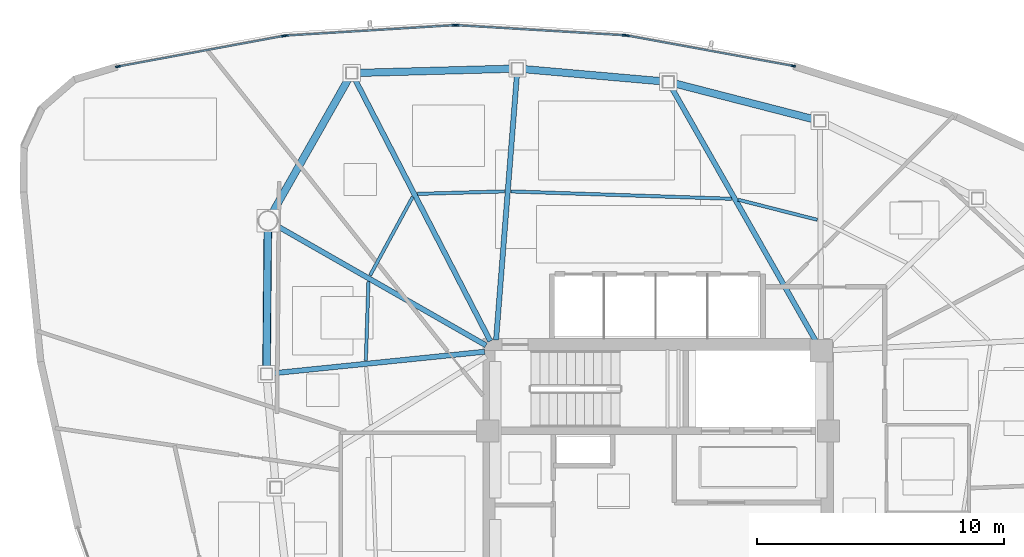
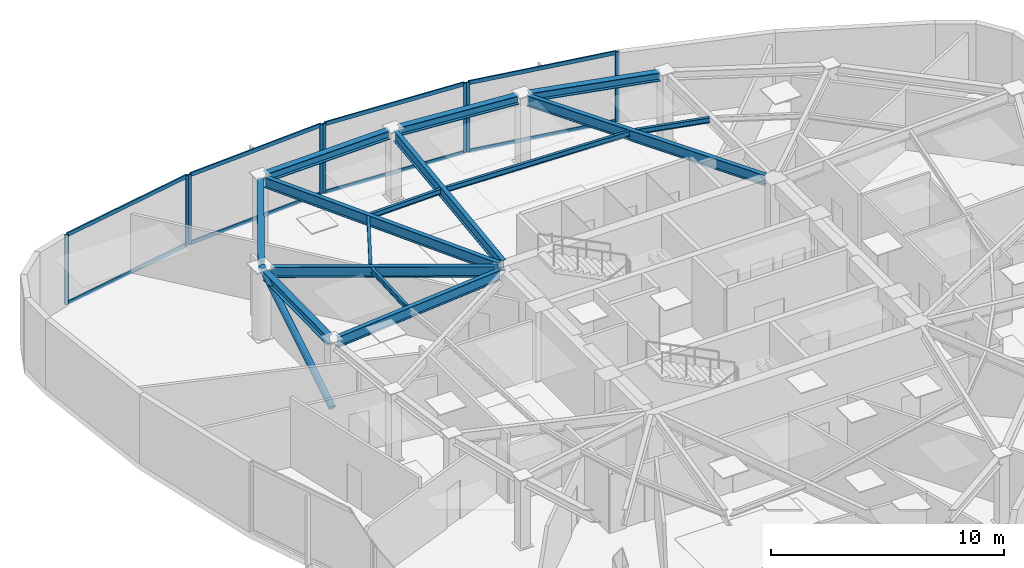
# One storey, part 5 of 13: 17 members, 15 beams, 4 elements without a shape of their own.
"""IFC4 building model written with IfcOpenShell, lengths in metres."""

from ifc_helpers import new_model, si_unit, direction, frame, origin, origin_2d, place, context, subcontext, project, spatial, hollow_rectangle, hollow_circle, i_section, extrude, source, transform, mapped, material, layer, layer_set, material_profile, profile_set, type_object, type_shapes, element, aggregate, save


model = new_model("IFC4")

# Units and contexts
model_context = context("Model", 3, precision=1e-05, world=origin(), true_north=direction((0.0, 1.0)))
body_context = subcontext(model_context, "Body", "Model", "MODEL_VIEW")
ifc_project = project(units=[si_unit("LENGTHUNIT", "METRE"), si_unit("AREAUNIT", "SQUARE_METRE"), si_unit("VOLUMEUNIT", "CUBIC_METRE"), si_unit("PLANEANGLEUNIT", "RADIAN"), si_unit("MASSUNIT", "GRAM", prefix="KILO")], contexts=[model_context])

# Site, building, storey
site_placement = place(None, origin())
site = spatial("IfcSite", under=ifc_project, at=site_placement, CompositionType="ELEMENT")
building_placement = place(site_placement, origin())
building = spatial("IfcBuilding", under=site, at=building_placement, Name="Tavelor Broadcast Tower", CompositionType="ELEMENT")
storey_placement = place(building_placement, frame((0.0, 0.0, 265.60009765625)))
storey = spatial("IfcBuildingStorey", under=building, at=storey_placement, Name="L63", CompositionType="ELEMENT", Elevation=265.60009765625)

# Beams
ifc_material_1 = material(Name="Steel S355", Category="steel")
ifc_material_profile_1 = material_profile(ifc_material_1, i_section(OverallWidth=0.135009765625, OverallDepth=0.27001953125, WebThickness=0.006591796875, FlangeThickness=0.01025390625, at=origin_2d()), Name="IPE 270")
ifc_profile_set_1 = profile_set([ifc_material_profile_1], Name="Steel S355")
beam_type_1 = type_object("IfcBeamType", Name="Composite Floor Joist T6 IPE 270", PredefinedType="JOIST", material=ifc_profile_set_1)
beam_1_placement = place(storey_placement, frame((38.266357421875, 53.997314453125, 3.514892578125), z_axis=(-0.03266180387, -0.999466460952, 0.0), x_axis=(0.999466460952, -0.03266180387, 0.0)))
element("IfcBeam", 1, at=beam_1_placement, inside=storey, type_object=beam_type_1, Name="L63 Secondary Composite Floor Joist 01", PredefinedType="JOIST", context=body_context, shape_type="SweptSolid", body=[
    extrude(i_section(OverallWidth=0.135009765625, OverallDepth=0.27001953125, WebThickness=0.006591796875, FlangeThickness=0.01025390625, at=origin_2d()), origin(), (0.0, 0.0, 1.0), 3.19921875),
])
beam_2_placement = place(storey_placement, frame((56.439208984375, 56.498779296875, 3.514892578125), z_axis=(-0.969346722977, 0.245696826706, 0.0), x_axis=(-0.245696826706, -0.969346722977, 0.0)))
element("IfcBeam", 2, at=beam_2_placement, inside=storey, type_object=beam_type_1, Name="L63 Secondary Composite Floor Joist 15", PredefinedType="JOIST", context=body_context, shape_type="SweptSolid", body=[
    extrude(i_section(OverallWidth=0.135009765625, OverallDepth=0.27001953125, WebThickness=0.006591796875, FlangeThickness=0.01025390625, at=origin_2d()), origin(), (0.0, 0.0, 1.0), 3.305908203125),
])
beam_3_placement = place(storey_placement, frame((52.970458984375, 57.348388671875, 3.514892578125), z_axis=(-0.999441322178, 0.033422201056, 0.0), x_axis=(-0.033422201056, -0.999441322178, 0.0)))
element("IfcBeam", 3, at=beam_3_placement, inside=storey, type_object=beam_type_1, Name="L63 Secondary Composite Floor Joist 16", PredefinedType="JOIST", context=body_context, shape_type="SweptSolid", body=[
    extrude(i_section(OverallWidth=0.135009765625, OverallDepth=0.27001953125, WebThickness=0.006591796875, FlangeThickness=0.01025390625, at=origin_2d()), origin(), (0.0, 0.0, 1.0), 8.93359375),
])
beam_4_placement = place(storey_placement, frame((43.773681640625, 57.647705078125, 3.514892578125), z_axis=(-0.999591520458, -0.028579577129, 0.0), x_axis=(0.028579577129, -0.999591520458, 0.0)))
element("IfcBeam", 4, at=beam_4_placement, inside=storey, type_object=beam_type_1, Name="L63 Secondary Composite Floor Joist 17", PredefinedType="JOIST", context=body_context, shape_type="SweptSolid", body=[
    extrude(i_section(OverallWidth=0.135009765625, OverallDepth=0.27001953125, WebThickness=0.006591796875, FlangeThickness=0.01025390625, at=origin_2d()), origin(), (0.0, 0.0, 1.0), 3.51953125),
])
beam_5_placement = place(storey_placement, frame((40.057373046875, 57.42529296875, 3.514892578125), z_axis=(-0.476805519493, -0.879008814848, 0.0), x_axis=(0.879008814848, -0.476805519493, 0.0)))
element("IfcBeam", 5, at=beam_5_placement, inside=storey, type_object=beam_type_1, Name="L63 Secondary Composite Floor Joist 18", PredefinedType="JOIST", context=body_context, shape_type="SweptSolid", body=[
    extrude(i_section(OverallWidth=0.135009765625, OverallDepth=0.27001953125, WebThickness=0.006591796875, FlangeThickness=0.01025390625, at=origin_2d()), origin(), (0.0, 0.0, 1.0), 3.61279296875),
])
ifc_material_profile_2 = material_profile(ifc_material_1, i_section(OverallWidth=0.300048828125, OverallDepth=0.449951171875, WebThickness=0.013916015625, FlangeThickness=0.02587890625, at=origin_2d()), Name="HEB 450")
ifc_profile_set_2 = profile_set([ifc_material_profile_2], Name="Steel S355")
beam_type_2 = type_object("IfcBeamType", Name="Perimeter Spandrel Beam T6 HEB 450", PredefinedType="SPANDREL", material=ifc_profile_set_2)
beam_6_placement = place(storey_placement, frame((34.192626953125, 56.069580078125, 3.4248046875), z_axis=(-0.009548403943, -0.999954412952, 0.0), x_axis=(0.999954412952, -0.009548403943, 0.0)))
element("IfcBeam", 6, at=beam_6_placement, inside=storey, type_object=beam_type_2, Name="L63 Framed-Tube Ring Spandrel 01", PredefinedType="SPANDREL", context=body_context, shape_type="SweptSolid", body=[
    extrude(i_section(OverallWidth=0.300048828125, OverallDepth=0.449951171875, WebThickness=0.013916015625, FlangeThickness=0.02587890625, at=origin_2d()), origin(), (0.0, 0.0, 1.0), 5.573974609375),
])
beam_7_placement = place(storey_placement, frame((56.313232421875, 60.56396484375, 3.4248046875), z_axis=(-0.968399822455, 0.249402854572, 0.0), x_axis=(-0.249402854572, -0.968399822455, 0.0)))
element("IfcBeam", 7, at=beam_7_placement, inside=storey, type_object=beam_type_2, Name="L63 Framed-Tube Ring Spandrel 15", PredefinedType="SPANDREL", context=body_context, shape_type="SweptSolid", body=[
    extrude(i_section(OverallWidth=0.300048828125, OverallDepth=0.449951171875, WebThickness=0.013916015625, FlangeThickness=0.02587890625, at=origin_2d()), origin(), (0.0, 0.0, 1.0), 5.858642578125),
])
beam_8_placement = place(storey_placement, frame((50.168212890625, 62.10595703125, 3.4248046875), z_axis=(-0.996167133993, 0.08747023009, 0.0), x_axis=(-0.08747023009, -0.996167133993, 0.0)))
element("IfcBeam", 8, at=beam_8_placement, inside=storey, type_object=beam_type_2, Name="L63 Framed-Tube Ring Spandrel 16", PredefinedType="SPANDREL", context=body_context, shape_type="SweptSolid", body=[
    extrude(i_section(OverallWidth=0.300048828125, OverallDepth=0.449951171875, WebThickness=0.013916015625, FlangeThickness=0.02587890625, at=origin_2d()), origin(), (0.0, 0.0, 1.0), 5.652099609375),
])
beam_9_placement = place(storey_placement, frame((44.058837890625, 62.61474609375, 3.4248046875), z_axis=(-0.99963121329, -0.027155798934, 0.0), x_axis=(0.027155798934, -0.99963121329, 0.0)))
element("IfcBeam", 9, at=beam_9_placement, inside=storey, type_object=beam_type_2, Name="L63 Framed-Tube Ring Spandrel 17", PredefinedType="SPANDREL", context=body_context, shape_type="SweptSolid", body=[
    extrude(i_section(OverallWidth=0.300048828125, OverallDepth=0.449951171875, WebThickness=0.013916015625, FlangeThickness=0.02587890625, at=origin_2d()), origin(), (0.0, 0.0, 1.0), 6.230224609375),
])
beam_10_placement = place(storey_placement, frame((37.472412109375, 62.23046875, 3.4248046875), z_axis=(-0.493720585512, -0.869620597411, 0.0), x_axis=(0.869620597411, -0.493720585512, 0.0)))
element("IfcBeam", 10, at=beam_10_placement, inside=storey, type_object=beam_type_2, Name="L63 Framed-Tube Ring Spandrel 18", PredefinedType="SPANDREL", context=body_context, shape_type="SweptSolid", body=[
    extrude(i_section(OverallWidth=0.300048828125, OverallDepth=0.449951171875, WebThickness=0.013916015625, FlangeThickness=0.02587890625, at=origin_2d()), origin(), (0.0, 0.0, 1.0), 6.245361328125),
])

# Member
ifc_material_profile_3 = material_profile(ifc_material_1, hollow_circle(Radius=0.161865234375, WallThickness=0.01611328125, at=origin_2d()), Name="CHS 323.9x16")
ifc_profile_set_3 = profile_set([ifc_material_profile_3], Name="Steel S355")
member_type_1 = type_object("IfcMemberType", Name="Perimeter Tube Brace T6 CHS 323.9x16", PredefinedType="BRACE", material=ifc_profile_set_3)
member_1_placement = place(storey_placement, frame((34.13720703125, 50.255859375, 0.0), z_axis=(0.008207725636, 0.861879024195, 0.507047513447), x_axis=(-0.999954658748, 0.009522628184, 0.0)))
element("IfcMember", 11, at=member_1_placement, inside=storey, type_object=member_type_1, Name="L63 Corner Tube Diagonal Brace 1", PredefinedType="BRACE", context=body_context, shape_type="SweptSolid", body=[
    extrude(hollow_circle(Radius=0.161865234375, WallThickness=0.01611328125, at=origin_2d()), origin(), (0.0, 0.0, 1.0), 7.1982421875),
])

# Beams
ifc_material_profile_4 = material_profile(ifc_material_1, i_section(OverallWidth=0.2099609375, OverallDepth=0.550048828125, WebThickness=0.010986328125, FlangeThickness=0.01708984375, at=origin_2d()), Name="IPE 550")
ifc_profile_set_4 = profile_set([ifc_material_profile_4], Name="Steel S355")
beam_type_3 = type_object("IfcBeamType", Name="Radial Floor Girder T6 IPE 550", PredefinedType="BEAM", material=ifc_profile_set_4)
beam_11_placement = place(storey_placement, frame((43.02490234375, 51.414306640625, 3.375), z_axis=(-0.868209338365, 0.496198090259, 0.0), x_axis=(-0.496198090259, -0.868209338365, 0.0)))
element("IfcBeam", 12, at=beam_11_placement, inside=storey, type_object=beam_type_3, Name="L63 Radial Primary Floor Girder 01", PredefinedType="BEAM", context=body_context, shape_type="SweptSolid", body=[
    extrude(i_section(OverallWidth=0.2099609375, OverallDepth=0.550048828125, WebThickness=0.010986328125, FlangeThickness=0.01708984375, at=origin_2d()), origin(), (0.0, 0.0, 1.0), 9.778564453125),
])
beam_12_placement = place(storey_placement, frame((42.97021484375, 51.15625, 3.375), z_axis=(-0.994845668858, -0.101400666436, 0.0), x_axis=(0.101400666436, -0.994845668858, 0.0)))
element("IfcBeam", 13, at=beam_12_placement, inside=storey, type_object=beam_type_3, Name="L63 Radial Primary Floor Girder 02", PredefinedType="BEAM", context=body_context, shape_type="SweptSolid", body=[
    extrude(i_section(OverallWidth=0.2099609375, OverallDepth=0.550048828125, WebThickness=0.010986328125, FlangeThickness=0.01708984375, at=origin_2d()), origin(), (0.0, 0.0, 1.0), 8.638671875),
])
beam_13_placement = place(storey_placement, frame((56.386474609375, 51.575439453125, 3.375), z_axis=(-0.49450305234, 0.869175891996, 0.0), x_axis=(-0.869175891996, -0.49450305234, 0.0)))
element("IfcBeam", 14, at=beam_13_placement, inside=storey, type_object=beam_type_3, Name="L63 Radial Primary Floor Girder 16", PredefinedType="BEAM", context=body_context, shape_type="SweptSolid", body=[
    extrude(i_section(OverallWidth=0.2099609375, OverallDepth=0.550048828125, WebThickness=0.010986328125, FlangeThickness=0.01708984375, at=origin_2d()), origin(), (0.0, 0.0, 1.0), 11.8515625),
])
beam_14_placement = place(storey_placement, frame((43.433837890625, 51.630615234375, 3.375), z_axis=(0.078462115784, 0.996917096045, 0.0), x_axis=(-0.996917096045, 0.078462115784, 0.0)))
element("IfcBeam", 15, at=beam_14_placement, inside=storey, type_object=beam_type_3, Name="L63 Radial Primary Floor Girder 17", PredefinedType="BEAM", context=body_context, shape_type="SweptSolid", body=[
    extrude(i_section(OverallWidth=0.2099609375, OverallDepth=0.550048828125, WebThickness=0.010986328125, FlangeThickness=0.01708984375, at=origin_2d()), origin(), (0.0, 0.0, 1.0), 10.78466796875),
])
beam_15_placement = place(storey_placement, frame((43.20166015625, 51.583740234375, 3.375), z_axis=(-0.459156775605, 0.888355252934, 0.0), x_axis=(-0.888355252934, -0.459156775605, 0.0)))
element("IfcBeam", 16, at=beam_15_placement, inside=storey, type_object=beam_type_3, Name="L63 Radial Primary Floor Girder 18", PredefinedType="BEAM", context=body_context, shape_type="SweptSolid", body=[
    extrude(i_section(OverallWidth=0.2099609375, OverallDepth=0.550048828125, WebThickness=0.010986328125, FlangeThickness=0.01708984375, at=origin_2d()), origin(), (0.0, 0.0, 1.0), 11.9794921875),
])

# Curtain wall, members
ifc_material_2 = material(Name="Architectural Anodized Aluminium", Category="aluminium")
ifc_layer = layer(ifc_material_2, 0.199951171875)
ifc_layer_set = layer_set([ifc_layer], Name="Architectural Anodized Aluminium")
curtain_wall_type = type_object("IfcCurtainWallType", Name="Tower High-Zone Triple-Glazed Curtain Wall CW04", PredefinedType="NOTDEFINED", material=ifc_layer_set)
curtain_wall_1_placement = place(storey_placement, origin())
curtain_wall_1 = element("IfcCurtainWall", 17, at=curtain_wall_1_placement, inside=storey, type_object=curtain_wall_type, Name="L63 Curtain Wall CW04 Run 693", PredefinedType="NOTDEFINED")
ifc_material_profile_5 = material_profile(ifc_material_2, hollow_rectangle(XDim=0.070068359375, YDim=0.199951171875, WallThickness=0.02197265625, at=origin_2d()), Name="RHS 70x200x22")
ifc_profile_set_5 = profile_set([ifc_material_profile_5], Name="Architectural Anodized Aluminium")
member_type_2 = type_object("IfcMemberType", Name="CW04 Extruded Aluminium Mullion 70x200", PredefinedType="MULLION", material=ifc_profile_set_5)
shared_shape_1 = source(origin(), body_context, "Body", "SweptSolid", [
    extrude(hollow_rectangle(XDim=0.070068359375, YDim=0.199951171875, WallThickness=0.02197265625, at=origin_2d()), origin(), (0.0, 0.0, 1.0), 3.64990234375),
])
type_shapes(member_type_2, [shared_shape_1])
member_2_placement = place(storey_placement, frame((55.462890625, 62.726318359375, 0.0), z_axis=(0.0, 0.0, 1.0), x_axis=(-0.180104469576, -0.98364748769, 0.0)))
member_2 = element("IfcMember", 18, at=member_2_placement, type_object=member_type_2, Name="CW04 mullion 1", PredefinedType="MULLION", context=body_context, shape_type="MappedRepresentation", body=[
    mapped(shared_shape_1, transform((0.0, 0.0, 0.0), scale=1.0)),
])
member_3_placement = place(storey_placement, frame((48.744140625, 63.956298828125, 0.0), z_axis=(0.0, 0.0, 1.0), x_axis=(-0.180104469576, -0.98364748769, 0.0)))
member_3 = element("IfcMember", 19, at=member_3_placement, type_object=member_type_2, Name="CW04 mullion 2", PredefinedType="MULLION", context=body_context, shape_type="MappedRepresentation", body=[
    mapped(shared_shape_1, transform((0.0, 0.0, 0.0), scale=1.0)),
])

curtain_wall_2_placement = place(storey_placement, origin())
curtain_wall_2 = element("IfcCurtainWall", 20, at=curtain_wall_2_placement, inside=storey, type_object=curtain_wall_type, Name="L63 Curtain Wall CW04 Run 694", PredefinedType="NOTDEFINED")
member_4_placement = place(storey_placement, frame((48.645263671875, 63.968505859375, 0.0), z_axis=(0.0, 0.0, 1.0), x_axis=(-0.059719793125, -0.998215180364, 0.0)))
member_4 = element("IfcMember", 21, at=member_4_placement, type_object=member_type_2, Name="CW04 mullion 1", PredefinedType="MULLION", context=body_context, shape_type="MappedRepresentation", body=[
    mapped(shared_shape_1, transform((0.0, 0.0, 0.0), scale=1.0)),
])
member_5_placement = place(storey_placement, frame((41.841796875, 64.37548828125, 0.0), z_axis=(0.0, 0.0, 1.0), x_axis=(-0.059719793125, -0.998215180364, 0.0)))
member_5 = element("IfcMember", 22, at=member_5_placement, type_object=member_type_2, Name="CW04 mullion 2", PredefinedType="MULLION", context=body_context, shape_type="MappedRepresentation", body=[
    mapped(shared_shape_1, transform((0.0, 0.0, 0.0), scale=1.0)),
])

curtain_wall_3_placement = place(storey_placement, origin())
curtain_wall_3 = element("IfcCurtainWall", 23, at=curtain_wall_3_placement, inside=storey, type_object=curtain_wall_type, Name="L63 Curtain Wall CW04 Run 695", PredefinedType="NOTDEFINED")
member_6_placement = place(storey_placement, frame((41.7421875, 64.375244140625, 0.0), z_axis=(0.0, 0.0, 1.0), x_axis=(0.061506631863, -0.998106674778, 0.0)))
member_6 = element("IfcMember", 24, at=member_6_placement, type_object=member_type_2, Name="CW04 mullion 1", PredefinedType="MULLION", context=body_context, shape_type="MappedRepresentation", body=[
    mapped(shared_shape_1, transform((0.0, 0.0, 0.0), scale=1.0)),
])
member_7_placement = place(storey_placement, frame((34.939453125, 63.9560546875, 0.0), z_axis=(0.0, 0.0, 1.0), x_axis=(0.061506631863, -0.998106674778, 0.0)))
member_7 = element("IfcMember", 25, at=member_7_placement, type_object=member_type_2, Name="CW04 mullion 2", PredefinedType="MULLION", context=body_context, shape_type="MappedRepresentation", body=[
    mapped(shared_shape_1, transform((0.0, 0.0, 0.0), scale=1.0)),
])

curtain_wall_4_placement = place(storey_placement, origin())
curtain_wall_4 = element("IfcCurtainWall", 26, at=curtain_wall_4_placement, inside=storey, type_object=curtain_wall_type, Name="L63 Curtain Wall CW04 Run 696", PredefinedType="NOTDEFINED")
member_8_placement = place(storey_placement, frame((34.84033203125, 63.944091796875, 0.0), z_axis=(0.0, 0.0, 1.0), x_axis=(0.181833970152, -0.983329246641, 0.0)))
member_8 = element("IfcMember", 27, at=member_8_placement, type_object=member_type_2, Name="CW04 mullion 1", PredefinedType="MULLION", context=body_context, shape_type="MappedRepresentation", body=[
    mapped(shared_shape_1, transform((0.0, 0.0, 0.0), scale=1.0)),
])
member_9_placement = place(storey_placement, frame((28.122802734375, 62.701904296875, 0.0), z_axis=(0.0, 0.0, 1.0), x_axis=(0.181833970152, -0.983329246641, 0.0)))
member_9 = element("IfcMember", 28, at=member_9_placement, type_object=member_type_2, Name="CW04 mullion 2", PredefinedType="MULLION", context=body_context, shape_type="MappedRepresentation", body=[
    mapped(shared_shape_1, transform((0.0, 0.0, 0.0), scale=1.0)),
])

# Member
ifc_material_profile_6 = material_profile(ifc_material_2, hollow_rectangle(XDim=0.070068359375, YDim=0.199951171875, WallThickness=0.02197265625, at=origin_2d()), Name="RHS 70x200x22")
ifc_profile_set_6 = profile_set([ifc_material_profile_6], Name="Architectural Anodized Aluminium")
member_type_3 = type_object("IfcMemberType", Name="CW04 Extruded Aluminium Transom 70x200", PredefinedType="USERDEFINED", material=ifc_profile_set_6)
shared_shape_2 = source(origin(), body_context, "Body", "SweptSolid", [
    extrude(hollow_rectangle(XDim=0.070068359375, YDim=0.199951171875, WallThickness=0.02197265625, at=origin_2d()), origin(), (0.0, 0.0, 1.0), 6.760498046875),
])
member_10_placement = place(storey_placement, frame((55.428466796875, 62.732421875, 0.034912109375), z_axis=(-0.983642621449, 0.180131044709, 0.0), x_axis=(-0.180131044709, -0.983642621449, 0.0)))
member_10 = element("IfcMember", 29, at=member_10_placement, type_object=member_type_3, Name="CW04 transom 1.1", ObjectType="TRANSOM", PredefinedType="USERDEFINED", context=body_context, shape_type="MappedRepresentation", body=[
    mapped(shared_shape_2, transform((0.0, 0.0, 0.0), scale=1.0)),
])

member_11_placement = place(storey_placement, frame((55.428466796875, 62.732421875, 3.614990234375), z_axis=(-0.983642621449, 0.180131044709, 0.0), x_axis=(-0.180131044709, -0.983642621449, 0.0)))
member_11 = element("IfcMember", 30, at=member_11_placement, type_object=member_type_3, Name="CW04 transom 1.2", ObjectType="TRANSOM", PredefinedType="USERDEFINED", context=body_context, shape_type="MappedRepresentation", body=[
    mapped(shared_shape_2, transform((0.0, 0.0, 0.0), scale=1.0)),
])

aggregate(curtain_wall_1, [member_2, member_3, member_10, member_11])

shared_shape_3 = source(origin(), body_context, "Body", "SweptSolid", [
    extrude(hollow_rectangle(XDim=0.070068359375, YDim=0.199951171875, WallThickness=0.02197265625, at=origin_2d()), origin(), (0.0, 0.0, 1.0), 6.745361328125),
])
member_12_placement = place(storey_placement, frame((48.610107421875, 63.970458984375, 0.034912109375), z_axis=(-0.998215216778, 0.05971918447, 0.0), x_axis=(-0.05971918447, -0.998215216778, 0.0)))
member_12 = element("IfcMember", 31, at=member_12_placement, type_object=member_type_3, Name="CW04 transom 1.1", ObjectType="TRANSOM", PredefinedType="USERDEFINED", context=body_context, shape_type="MappedRepresentation", body=[
    mapped(shared_shape_3, transform((0.0, 0.0, 0.0), scale=1.0)),
])

member_13_placement = place(storey_placement, frame((48.610107421875, 63.970458984375, 3.614990234375), z_axis=(-0.998215216778, 0.05971918447, 0.0), x_axis=(-0.05971918447, -0.998215216778, 0.0)))
member_13 = element("IfcMember", 32, at=member_13_placement, type_object=member_type_3, Name="CW04 transom 1.2", ObjectType="TRANSOM", PredefinedType="USERDEFINED", context=body_context, shape_type="MappedRepresentation", body=[
    mapped(shared_shape_3, transform((0.0, 0.0, 0.0), scale=1.0)),
])

aggregate(curtain_wall_2, [member_4, member_5, member_12, member_13])

member_14_placement = place(storey_placement, frame((41.70703125, 64.373291015625, 0.034912109375), z_axis=(-0.998105310001, -0.061528774957, 0.0), x_axis=(0.061528774957, -0.998105310001, 0.0)))
member_14 = element("IfcMember", 33, at=member_14_placement, type_object=member_type_3, Name="CW04 transom 1.1", ObjectType="TRANSOM", PredefinedType="USERDEFINED", context=body_context, shape_type="MappedRepresentation", body=[
    mapped(shared_shape_3, transform((0.0, 0.0, 0.0), scale=1.0)),
])

member_15_placement = place(storey_placement, frame((41.70703125, 64.373291015625, 3.614990234375), z_axis=(-0.998105310001, -0.061528774957, 0.0), x_axis=(0.061528774957, -0.998105310001, 0.0)))
member_15 = element("IfcMember", 34, at=member_15_placement, type_object=member_type_3, Name="CW04 transom 1.2", ObjectType="TRANSOM", PredefinedType="USERDEFINED", context=body_context, shape_type="MappedRepresentation", body=[
    mapped(shared_shape_3, transform((0.0, 0.0, 0.0), scale=1.0)),
])

aggregate(curtain_wall_3, [member_6, member_7, member_14, member_15])

shared_shape_4 = source(origin(), body_context, "Body", "SweptSolid", [
    extrude(hollow_rectangle(XDim=0.070068359375, YDim=0.199951171875, WallThickness=0.02197265625, at=origin_2d()), origin(), (0.0, 0.0, 1.0), 6.761474609375),
])
type_shapes(member_type_3, [shared_shape_2, shared_shape_3, shared_shape_4])
member_16_placement = place(storey_placement, frame((34.805908203125, 63.937744140625, 0.034912109375), z_axis=(-0.983328185766, -0.181839707102, 0.0), x_axis=(0.181839707102, -0.983328185766, 0.0)))
member_16 = element("IfcMember", 35, at=member_16_placement, type_object=member_type_3, Name="CW04 transom 1.1", ObjectType="TRANSOM", PredefinedType="USERDEFINED", context=body_context, shape_type="MappedRepresentation", body=[
    mapped(shared_shape_4, transform((0.0, 0.0, 0.0), scale=1.0)),
])

member_17_placement = place(storey_placement, frame((34.805908203125, 63.937744140625, 3.614990234375), z_axis=(-0.983328185766, -0.181839707102, 0.0), x_axis=(0.181839707102, -0.983328185766, 0.0)))
member_17 = element("IfcMember", 36, at=member_17_placement, type_object=member_type_3, Name="CW04 transom 1.2", ObjectType="TRANSOM", PredefinedType="USERDEFINED", context=body_context, shape_type="MappedRepresentation", body=[
    mapped(shared_shape_4, transform((0.0, 0.0, 0.0), scale=1.0)),
])

aggregate(curtain_wall_4, [member_8, member_9, member_16, member_17])

save(model, "model.ifc")
